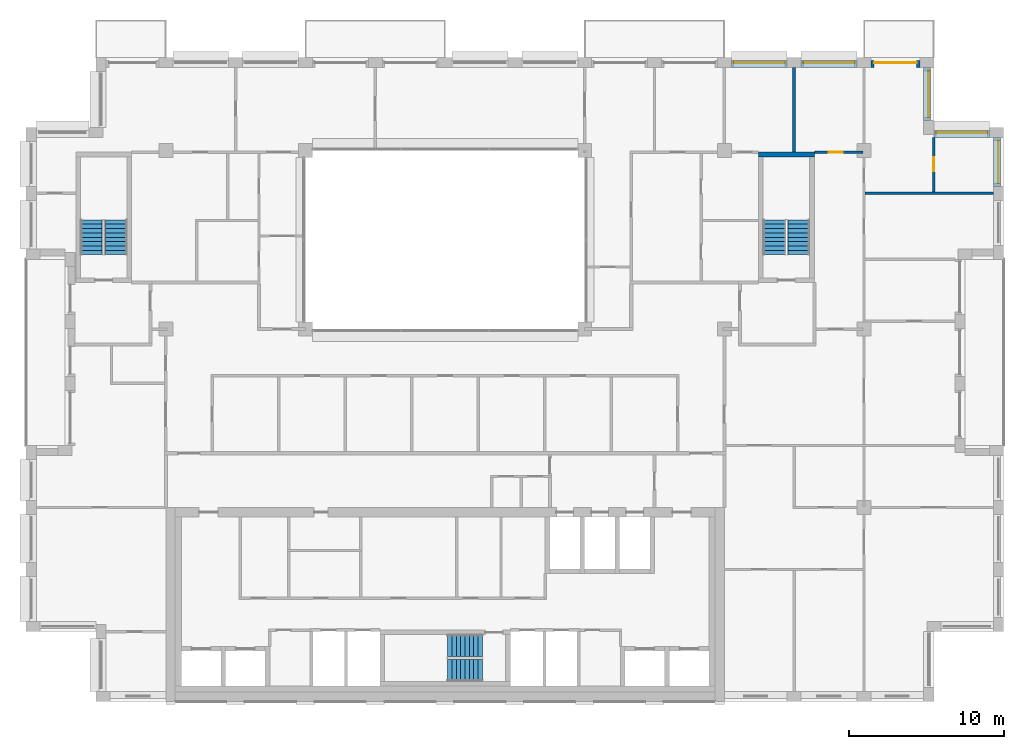
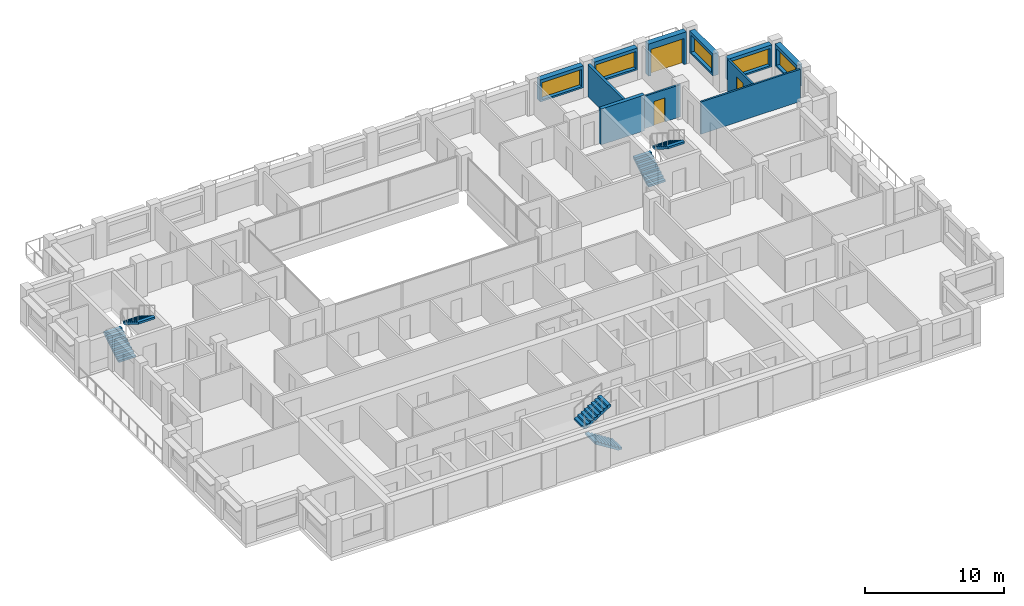
# One storey, part 14 of 15: 11 walls, 6 stair flights, 5 windows, 3 doors, 8 openings, 3 elements without a shape of their own.
"""IFC4 building model written with IfcOpenShell, lengths in metres."""

from ifc_helpers import new_model, si_unit, direction, frame, frame_2d, origin, place, context, subcontext, project, spatial, polyline, rectangle, outline, extrude, material, layer, layer_set, type_object, element, fill, aggregate, save


model = new_model("IFC4")

# Units and contexts
model_context = context("Model", 3, precision=1e-05, world=origin(), true_north=direction((0.0, 1.0)))
body_context = subcontext(model_context, "Body", "Model", "MODEL_VIEW")
ifc_project = project(units=[si_unit("LENGTHUNIT", "METRE"), si_unit("AREAUNIT", "SQUARE_METRE"), si_unit("VOLUMEUNIT", "CUBIC_METRE"), si_unit("PLANEANGLEUNIT", "RADIAN"), si_unit("MASSUNIT", "GRAM", prefix="KILO")], contexts=[model_context])

# Site, building, storey
site_placement = place(None, origin())
site = spatial("IfcSite", under=ifc_project, at=site_placement, CompositionType="ELEMENT")
building_placement = place(site_placement, origin())
building = spatial("IfcBuilding", under=site, at=building_placement, Name="Brigalow Station Residences", CompositionType="ELEMENT")
storey_placement = place(building_placement, frame((0.0, 0.0, 220.050048828125)))
storey = spatial("IfcBuildingStorey", under=building, at=storey_placement, Name="L63", CompositionType="ELEMENT", Elevation=220.050048828125)

# Wall, opening, window
ifc_material_1 = material(Name="Clay brick masonry", Category="masonry")
ifc_layer_1 = layer(ifc_material_1, 0.449951171875)
ifc_layer_set_1 = layer_set([ifc_layer_1], Name="BRICK INFILL WALL 450")
wall_type_1 = type_object("IfcWallType", Name="BRICK INFILL WALL 450", PredefinedType="SOLIDWALL", material=ifc_layer_set_1)
wall_1_placement = place(storey_placement, frame((71.574951171875, 33.199951171875, 0.89990234375), z_axis=(0.0, 0.0, 1.0), x_axis=(0.0, 1.0, 0.0)))
wall_1 = element("IfcWall", 1, at=wall_1_placement, inside=storey, type_object=wall_type_1, Name="L63/ewall/W-L63-17", PredefinedType="SOLIDWALL", context=body_context, shape_type="SweptSolid", body=[
    extrude(rectangle(XDim=3.150146484375, YDim=0.449951171875, at=frame_2d((1.5751953125, 0.0))), origin(), (0.0, 0.0, 1.0), 1.929931640625),
])
opening_1_placement = place(wall_1_placement, frame((0.199951171875, 0.0, 0.14990234375)))
opening_1 = element("IfcOpeningElement", 2, at=opening_1_placement, cuts=wall_1, Name="Opening WT-3", PredefinedType="OPENING", context=body_context, shape_type="SweptSolid", body=[
    extrude(rectangle(XDim=2.75, YDim=1.5, at=frame_2d((1.375, 0.75))), frame((0.0, 0.23486328125, 0.0), z_axis=(0.0, -1.0, 0.0), x_axis=(1.0, 0.0, 0.0)), (0.0, 0.0, 1.0), 0.469970703125),
])
ifc_material_2 = material(Name="Anodised aluminium frame with double glazing", Category="aluminium")
window_type_1 = type_object("IfcWindowType", Name="WINDOW 2750x1500", PartitioningType="SINGLE_PANEL", PredefinedType="WINDOW", material=ifc_material_2)
window_1_placement = place(opening_1_placement, origin())
window_1 = element("IfcWindow", 3, at=window_1_placement, inside=storey, type_object=window_type_1, Name="L63/window/W-L63-17", OverallHeight=1.5, OverallWidth=2.75, PartitioningType="SINGLE_PANEL", PredefinedType="WINDOW", context=body_context, shape_type="SweptSolid", body=[
    extrude(rectangle(XDim=2.75, YDim=1.5, at=frame_2d((1.375, 0.75))), frame((0.0, -0.06494140625, 0.0), z_axis=(0.0, -1.0, 0.0), x_axis=(1.0, 0.0, 0.0)), (0.0, 0.0, 1.0), 0.06005859375),
])
fill(opening_1, window_1)

wall_2_placement = place(storey_placement, frame((71.10009765625, 36.574951171875, 0.89990234375), z_axis=(0.0, 0.0, 1.0), x_axis=(-1.0, 0.0, 0.0)))
wall_2 = element("IfcWall", 4, at=wall_2_placement, inside=storey, type_object=wall_type_1, Name="L63/ewall/W-L63-18", PredefinedType="SOLIDWALL", context=body_context, shape_type="SweptSolid", body=[
    extrude(rectangle(XDim=3.60009765625, YDim=0.449951171875, at=frame_2d((1.800048828125, 0.0))), origin(), (0.0, 0.0, 1.0), 1.929931640625),
])
opening_2_placement = place(wall_2_placement, frame((0.14990234375, 0.0, 0.14990234375)))
opening_2 = element("IfcOpeningElement", 5, at=opening_2_placement, cuts=wall_2, Name="Opening WT-10", PredefinedType="OPENING", context=body_context, shape_type="SweptSolid", body=[
    extrude(rectangle(XDim=3.300048828125, YDim=1.5, at=frame_2d((1.64990234375, 0.75))), frame((0.0, 0.23486328125, 0.0), z_axis=(0.0, -1.0, 0.0), x_axis=(1.0, 0.0, 0.0)), (0.0, 0.0, 1.0), 0.469970703125),
])
ifc_material_3 = material(Name="Anodised aluminium frame with double glazing", Category="aluminium")
window_type_2 = type_object("IfcWindowType", Name="WINDOW 3300x1500", PartitioningType="SINGLE_PANEL", PredefinedType="WINDOW", material=ifc_material_3)
window_2_placement = place(opening_2_placement, origin())
window_2 = element("IfcWindow", 6, at=window_2_placement, inside=storey, type_object=window_type_2, Name="L63/window/W-L63-18", OverallHeight=1.5, OverallWidth=3.300048828125, PartitioningType="SINGLE_PANEL", PredefinedType="WINDOW", context=body_context, shape_type="SweptSolid", body=[
    extrude(rectangle(XDim=3.300048828125, YDim=1.5, at=frame_2d((1.64990234375, 0.75))), frame((0.0, -0.06494140625, 0.0), z_axis=(0.0, -1.0, 0.0), x_axis=(1.0, 0.0, 0.0)), (0.0, 0.0, 1.0), 0.06005859375),
])
fill(opening_2, window_2)

wall_3_placement = place(storey_placement, frame((67.074951171875, 37.449951171875, 0.89990234375), z_axis=(0.0, 0.0, 1.0), x_axis=(0.0, 1.0, 0.0)))
wall_3 = element("IfcWall", 7, at=wall_3_placement, inside=storey, type_object=wall_type_1, Name="L63/ewall/W-L63-19", PredefinedType="SOLIDWALL", context=body_context, shape_type="SweptSolid", body=[
    extrude(rectangle(XDim=3.400146484375, YDim=0.449951171875, at=frame_2d((1.7001953125, 0.0))), origin(), (0.0, 0.0, 1.0), 1.929931640625),
])
opening_3_placement = place(wall_3_placement, frame((0.199951171875, 0.0, 0.14990234375)))
opening_3 = element("IfcOpeningElement", 8, at=opening_3_placement, cuts=wall_3, Name="Opening WT-2", PredefinedType="OPENING", context=body_context, shape_type="SweptSolid", body=[
    extrude(rectangle(XDim=3.0, YDim=1.5, at=frame_2d((1.5, 0.75))), frame((0.0, 0.23486328125, 0.0), z_axis=(0.0, -1.0, 0.0), x_axis=(1.0, 0.0, 0.0)), (0.0, 0.0, 1.0), 0.469970703125),
])
ifc_material_4 = material(Name="Anodised aluminium frame with double glazing", Category="aluminium")
window_type_3 = type_object("IfcWindowType", Name="WINDOW 3000x1500", PartitioningType="SINGLE_PANEL", PredefinedType="WINDOW", material=ifc_material_4)
window_3_placement = place(opening_3_placement, origin())
window_3 = element("IfcWindow", 9, at=window_3_placement, inside=storey, type_object=window_type_3, Name="L63/window/W-L63-19", OverallHeight=1.5, OverallWidth=3.0, PartitioningType="SINGLE_PANEL", PredefinedType="WINDOW", context=body_context, shape_type="SweptSolid", body=[
    extrude(rectangle(XDim=3.0, YDim=1.5, at=frame_2d((1.5, 0.75))), frame((0.0, -0.06494140625, 0.0), z_axis=(0.0, -1.0, 0.0), x_axis=(1.0, 0.0, 0.0)), (0.0, 0.0, 1.0), 0.06005859375),
])
fill(opening_3, window_3)

# Wall, opening, door
wall_4_placement = place(storey_placement, frame((66.60009765625, 41.074951171875, 0.0), z_axis=(0.0, 0.0, 1.0), x_axis=(-1.0, 0.0, 0.0)))
wall_4 = element("IfcWall", 10, at=wall_4_placement, inside=storey, type_object=wall_type_1, Name="L63/ewall/W-L63-20", PredefinedType="SOLIDWALL", context=body_context, shape_type="SweptSolid", body=[
    extrude(rectangle(XDim=3.150146484375, YDim=0.449951171875, at=frame_2d((1.5751953125, 0.0))), origin(), (0.0, 0.0, 1.0), 2.829833984375),
])
opening_4_placement = place(wall_4_placement, frame((0.199951171875, 0.0, 0.0)))
opening_4 = element("IfcOpeningElement", 11, at=opening_4_placement, cuts=wall_4, Name="Opening D-B2750", PredefinedType="OPENING", context=body_context, shape_type="SweptSolid", body=[
    extrude(rectangle(XDim=2.75, YDim=2.300048828125, at=frame_2d((1.375, 1.14990234375))), frame((0.0, 0.23486328125, 0.0), z_axis=(0.0, -1.0, 0.0), x_axis=(1.0, 0.0, 0.0)), (0.0, 0.0, 1.0), 0.469970703125),
])
ifc_material_5 = material(Name="Anodised aluminium frame with double glazing", Category="aluminium")
door_type_1 = type_object("IfcDoorType", Name="BALCONY SLIDING DOOR 2750x2300", OperationType="SLIDING_TO_LEFT", PredefinedType="DOOR", material=ifc_material_5)
door_1_placement = place(opening_4_placement, origin())
door_1 = element("IfcDoor", 12, at=door_1_placement, inside=storey, type_object=door_type_1, Name="L63/balcony-door/W-L63-20", OperationType="SLIDING_TO_LEFT", OverallHeight=2.300048828125, OverallWidth=2.75, PredefinedType="DOOR", context=body_context, shape_type="SweptSolid", body=[
    extrude(rectangle(XDim=2.75, YDim=2.300048828125, at=frame_2d((1.375, 1.14990234375))), frame((0.0, -0.06982421875, 0.0), z_axis=(0.0, -1.0, 0.0), x_axis=(1.0, 0.0, 0.0)), (0.0, 0.0, 1.0), 0.050048828125),
])
fill(opening_4, door_1)

# Wall, opening, window
wall_5_placement = place(storey_placement, frame((62.550048828125, 41.074951171875, 0.89990234375), z_axis=(0.0, 0.0, 1.0), x_axis=(-1.0, 0.0, 0.0)))
wall_5 = element("IfcWall", 13, at=wall_5_placement, inside=storey, type_object=wall_type_1, Name="L63/ewall/W-L63-21", PredefinedType="SOLIDWALL", context=body_context, shape_type="SweptSolid", body=[
    extrude(rectangle(XDim=3.60009765625, YDim=0.449951171875, at=frame_2d((1.800048828125, 0.0))), origin(), (0.0, 0.0, 1.0), 1.929931640625),
])
opening_5_placement = place(wall_5_placement, frame((0.14990234375, 0.0, 0.14990234375)))
opening_5 = element("IfcOpeningElement", 14, at=opening_5_placement, cuts=wall_5, Name="Opening WT-10", PredefinedType="OPENING", context=body_context, shape_type="SweptSolid", body=[
    extrude(rectangle(XDim=3.300048828125, YDim=1.5, at=frame_2d((1.64990234375, 0.75))), frame((0.0, 0.23486328125, 0.0), z_axis=(0.0, -1.0, 0.0), x_axis=(1.0, 0.0, 0.0)), (0.0, 0.0, 1.0), 0.469970703125),
])
window_4_placement = place(opening_5_placement, origin())
window_4 = element("IfcWindow", 15, at=window_4_placement, inside=storey, type_object=window_type_2, Name="L63/window/W-L63-21", OverallHeight=1.5, OverallWidth=3.300048828125, PartitioningType="SINGLE_PANEL", PredefinedType="WINDOW", context=body_context, shape_type="SweptSolid", body=[
    extrude(rectangle(XDim=3.300048828125, YDim=1.5, at=frame_2d((1.64990234375, 0.75))), frame((0.0, -0.06494140625, 0.0), z_axis=(0.0, -1.0, 0.0), x_axis=(1.0, 0.0, 0.0)), (0.0, 0.0, 1.0), 0.06005859375),
])
fill(opening_5, window_4)

wall_6_placement = place(storey_placement, frame((58.050048828125, 41.074951171875, 0.89990234375), z_axis=(0.0, 0.0, 1.0), x_axis=(-1.0, 0.0, 0.0)))
wall_6 = element("IfcWall", 16, at=wall_6_placement, inside=storey, type_object=wall_type_1, Name="L63/ewall/W-L63-22", PredefinedType="SOLIDWALL", context=body_context, shape_type="SweptSolid", body=[
    extrude(rectangle(XDim=3.60009765625, YDim=0.449951171875, at=frame_2d((1.800048828125, 0.0))), origin(), (0.0, 0.0, 1.0), 1.929931640625),
])
opening_6_placement = place(wall_6_placement, frame((0.14990234375, 0.0, 0.14990234375)))
opening_6 = element("IfcOpeningElement", 17, at=opening_6_placement, cuts=wall_6, Name="Opening WT-10", PredefinedType="OPENING", context=body_context, shape_type="SweptSolid", body=[
    extrude(rectangle(XDim=3.300048828125, YDim=1.5, at=frame_2d((1.64990234375, 0.75))), frame((0.0, 0.23486328125, 0.0), z_axis=(0.0, -1.0, 0.0), x_axis=(1.0, 0.0, 0.0)), (0.0, 0.0, 1.0), 0.469970703125),
])
window_5_placement = place(opening_6_placement, origin())
window_5 = element("IfcWindow", 18, at=window_5_placement, inside=storey, type_object=window_type_2, Name="L63/window/W-L63-22", OverallHeight=1.5, OverallWidth=3.300048828125, PartitioningType="SINGLE_PANEL", PredefinedType="WINDOW", context=body_context, shape_type="SweptSolid", body=[
    extrude(rectangle(XDim=3.300048828125, YDim=1.5, at=frame_2d((1.64990234375, 0.75))), frame((0.0, -0.06494140625, 0.0), z_axis=(0.0, -1.0, 0.0), x_axis=(1.0, 0.0, 0.0)), (0.0, 0.0, 1.0), 0.06005859375),
])
fill(opening_6, window_5)

# Wall
ifc_material_6 = material(Name="Concrete C50", Category="concrete")
ifc_layer_2 = layer(ifc_material_6, 0.300048828125)
ifc_layer_set_2 = layer_set([ifc_layer_2], Name="CORE SHEAR WALL 300 C50")
wall_type_2 = type_object("IfcWallType", Name="CORE SHEAR WALL 300 C50", PredefinedType="SHEAR", material=ifc_layer_set_2)
wall_7_placement = place(storey_placement, frame((56.199951171875, 35.25, 0.0), z_axis=(0.0, 0.0, 1.0), x_axis=(1.0, 0.0, 0.0)))
element("IfcWall", 19, at=wall_7_placement, inside=storey, type_object=wall_type_2, Name="CORE WALL ST-S3-N L63", PredefinedType="SHEAR", context=body_context, shape_type="SweptSolid", body=[
    extrude(rectangle(XDim=3.60009765625, YDim=0.300048828125, at=frame_2d((1.800048828125, 0.0))), origin(), (0.0, 0.0, 1.0), 3.14990234375),
])

# Wall, opening, door
ifc_material_7 = material(Name="Plasterboard on steel stud partition", Category="steel")
ifc_layer_3 = layer(ifc_material_7, 0.14990234375)
ifc_layer_set_3 = layer_set([ifc_layer_3], Name="FLAT PARTITION 150")
wall_type_3 = type_object("IfcWallType", Name="FLAT PARTITION 150", PredefinedType="PARTITIONING", material=ifc_layer_set_3)
wall_8_placement = place(storey_placement, frame((59.800048828125, 35.39990234375, 0.0), z_axis=(0.0, 0.0, 1.0), x_axis=(1.0, 0.0, 0.0)))
wall_8 = element("IfcWall", 20, at=wall_8_placement, inside=storey, type_object=wall_type_3, Name="PW-4C16", PredefinedType="PARTITIONING", context=body_context, shape_type="SweptSolid", body=[
    extrude(rectangle(XDim=3.125, YDim=0.14990234375, at=frame_2d((1.5625, 0.0))), origin(), (0.0, 0.0, 1.0), 2.829833984375),
])
opening_7_placement = place(wall_8_placement, frame((0.925048828125, 0.0, 0.0)))
opening_7 = element("IfcOpeningElement", 21, at=opening_7_placement, cuts=wall_8, Name="Opening D-4C36", PredefinedType="OPENING", context=body_context, shape_type="SweptSolid", body=[
    extrude(rectangle(XDim=0.89990234375, YDim=2.10009765625, at=frame_2d((0.449951171875, 1.050048828125))), frame((0.0, 0.0849609375, 0.0), z_axis=(0.0, -1.0, 0.0), x_axis=(1.0, 0.0, 0.0)), (0.0, 0.0, 1.0), 0.169921875),
])
ifc_material_8 = material(Name="Solid-core timber door leaf", Category="wood")
door_type_2 = type_object("IfcDoorType", Name="INTERNAL DOOR 900 x 2100", OperationType="SINGLE_SWING_LEFT", PredefinedType="DOOR", material=ifc_material_8)
door_2_placement = place(opening_7_placement, origin())
door_2 = element("IfcDoor", 22, at=door_2_placement, inside=storey, type_object=door_type_2, Name="D-4C36", OperationType="SINGLE_SWING_RIGHT", OverallHeight=2.10009765625, OverallWidth=0.89990234375, PredefinedType="DOOR", context=body_context, shape_type="SweptSolid", body=[
    extrude(rectangle(XDim=0.89990234375, YDim=2.10009765625, at=frame_2d((0.449951171875, 1.050048828125))), frame((0.0, 0.02490234375, 0.0), z_axis=(0.0, -1.0, 0.0), x_axis=(1.0, 0.0, 0.0)), (0.0, 0.0, 1.0), 0.050048828125),
])
fill(opening_7, door_2)

# Wall
wall_9_placement = place(storey_placement, frame((63.074951171875, 32.75, 0.0), z_axis=(0.0, 0.0, 1.0), x_axis=(1.0, 0.0, 0.0)))
element("IfcWall", 23, at=wall_9_placement, inside=storey, type_object=wall_type_3, Name="PW-4C20", PredefinedType="PARTITIONING", context=body_context, shape_type="SweptSolid", body=[
    extrude(rectangle(XDim=8.275146484375, YDim=0.14990234375, at=frame_2d((4.1376953125, 0.0))), origin(), (0.0, 0.0, 1.0), 2.829833984375),
])

# Wall, opening, door
wall_10_placement = place(storey_placement, frame((67.5, 32.824951171875, 0.0), z_axis=(0.0, 0.0, 1.0), x_axis=(0.0, 1.0, 0.0)))
wall_10 = element("IfcWall", 24, at=wall_10_placement, inside=storey, type_object=wall_type_3, Name="PW-4C51", PredefinedType="PARTITIONING", context=body_context, shape_type="SweptSolid", body=[
    extrude(rectangle(XDim=3.525146484375, YDim=0.14990234375, at=frame_2d((1.7626953125, 0.0))), origin(), (0.0, 0.0, 1.0), 2.829833984375),
])
opening_8_placement = place(wall_10_placement, frame((1.35009765625, 0.0, 0.0)))
opening_8 = element("IfcOpeningElement", 25, at=opening_8_placement, cuts=wall_10, Name="Opening D-4C35", PredefinedType="OPENING", context=body_context, shape_type="SweptSolid", body=[
    extrude(rectangle(XDim=0.89990234375, YDim=2.10009765625, at=frame_2d((0.449951171875, 1.050048828125))), frame((0.0, 0.0849609375, 0.0), z_axis=(0.0, -1.0, 0.0), x_axis=(1.0, 0.0, 0.0)), (0.0, 0.0, 1.0), 0.169921875),
])
door_3_placement = place(opening_8_placement, frame((0.89990234375, 0.0, 0.0), z_axis=(0.0, 0.0, 1.0), x_axis=(-1.0, 0.0, 0.0)))
door_3 = element("IfcDoor", 26, at=door_3_placement, inside=storey, type_object=door_type_2, Name="D-4C35", OperationType="SINGLE_SWING_LEFT", OverallHeight=2.10009765625, OverallWidth=0.89990234375, PredefinedType="DOOR", context=body_context, shape_type="SweptSolid", body=[
    extrude(rectangle(XDim=0.89990234375, YDim=2.10009765625, at=frame_2d((0.449951171875, 1.050048828125))), frame((0.0, 0.02490234375, 0.0), z_axis=(0.0, -1.0, 0.0), x_axis=(1.0, 0.0, 0.0)), (0.0, 0.0, 1.0), 0.050048828125),
])
fill(opening_8, door_3)

# Wall
ifc_material_9 = material(Name="Plasterboard on steel stud partition", Category="steel")
ifc_layer_4 = layer(ifc_material_9, 0.199951171875)
ifc_layer_set_4 = layer_set([ifc_layer_4], Name="PARTY AND CORRIDOR WALL 200")
wall_type_4 = type_object("IfcWallType", Name="PARTY AND CORRIDOR WALL 200", PredefinedType="PARTITIONING", material=ifc_layer_set_4)
wall_11_placement = place(storey_placement, frame((58.5, 35.39990234375, 0.0), z_axis=(0.0, 0.0, 1.0), x_axis=(0.0, 1.0, 0.0)))
element("IfcWall", 27, at=wall_11_placement, inside=storey, type_object=wall_type_4, Name="PW-4C47", PredefinedType="PARTITIONING", context=body_context, shape_type="SweptSolid", body=[
    extrude(rectangle(XDim=5.4501953125, YDim=0.199951171875, at=frame_2d((2.72509765625, 0.0))), origin(), (0.0, 0.0, 1.0), 2.829833984375),
])

# Stair, stair flights
ifc_material_10 = material(Name="Concrete C50", Category="concrete")
stair_type = type_object("IfcStairType", Name="EXIT STAIR 1400 2 FLIGHT", PredefinedType="HALF_TURN_STAIR", material=ifc_material_10)
stair_1_placement = place(storey_placement, origin())
stair_1 = element("IfcStair", 28, at=stair_1_placement, inside=storey, type_object=stair_type, Name="EXIT STAIR S2 L63", PredefinedType="HALF_TURN_STAIR")
ifc_material_11 = material(Name="Concrete C50", Category="concrete")
stair_flight_type = type_object("IfcStairFlightType", Name="STAIR FLIGHT 1400", PredefinedType="STRAIGHT", material=ifc_material_11)
stair_flight_1_placement = place(storey_placement, frame((38.39990234375, 2.0, 0.0), z_axis=(0.0, 0.0, 1.0), x_axis=(-1.0, 0.0, 0.0)))
stair_flight_1 = element("IfcStairFlight", 29, at=stair_flight_1_placement, type_object=stair_flight_type, Name="ST-2 flight 1", NumberOfRisers=9, NumberOfTreads=8, PredefinedType="STRAIGHT", RiserHeight=0.175, TreadLength=0.28, context=body_context, shape_type="SweptSolid", body=[
    extrude(outline(polyline([(0.0, 0.0), (0.0, 0.175048828125), (0.280029296875, 0.175048828125), (0.280029296875, 0.35009765625), (0.56005859375, 0.35009765625), (0.56005859375, 0.52490234375), (0.840087890625, 0.52490234375), (0.840087890625, 0.699951171875), (1.1201171875, 0.699951171875), (1.1201171875, 0.875), (1.39990234375, 0.875), (1.39990234375, 1.050048828125), (1.679931640625, 1.050048828125), (1.679931640625, 1.22509765625), (1.9599609375, 1.22509765625), (1.9599609375, 1.39990234375), (2.239990234375, 1.39990234375), (2.239990234375, 1.574951171875), (2.239990234375, 1.22314453125), (0.28271484375, 0.0), (0.0, 0.0)])), frame((0.0, 0.699951171875, 0.0), z_axis=(0.0, -1.0, 0.0), x_axis=(1.0, 0.0, 0.0)), (0.0, 0.0, 1.0), 1.39990234375),
])
stair_flight_2_placement = place(storey_placement, frame((36.159912109375, 3.60009765625, 1.574951171875), z_axis=(0.0, 0.0, 1.0), x_axis=(1.0, 0.0, 0.0)))
stair_flight_2 = element("IfcStairFlight", 30, at=stair_flight_2_placement, type_object=stair_flight_type, Name="ST-2 flight 2", NumberOfRisers=9, NumberOfTreads=8, PredefinedType="STRAIGHT", RiserHeight=0.175, TreadLength=0.28, context=body_context, shape_type="SweptSolid", body=[
    extrude(outline(polyline([(0.0, 0.0), (0.0, 0.175048828125), (0.280029296875, 0.175048828125), (0.280029296875, 0.35009765625), (0.56005859375, 0.35009765625), (0.56005859375, 0.52490234375), (0.840087890625, 0.52490234375), (0.840087890625, 0.699951171875), (1.1201171875, 0.699951171875), (1.1201171875, 0.875), (1.39990234375, 0.875), (1.39990234375, 1.050048828125), (1.679931640625, 1.050048828125), (1.679931640625, 1.22509765625), (1.9599609375, 1.22509765625), (1.9599609375, 1.39990234375), (2.239990234375, 1.39990234375), (2.239990234375, 1.574951171875), (2.239990234375, 1.22314453125), (0.28271484375, 0.0), (0.0, 0.0)])), frame((0.0, 0.699951171875, 0.0), z_axis=(0.0, -1.0, 0.0), x_axis=(1.0, 0.0, 0.0)), (0.0, 0.0, 1.0), 1.39990234375),
])
aggregate(stair_1, [stair_flight_1, stair_flight_2])

stair_2_placement = place(storey_placement, origin())
stair_2 = element("IfcStair", 31, at=stair_2_placement, inside=storey, type_object=stair_type, Name="EXIT STAIR S1 L63", PredefinedType="HALF_TURN_STAIR")
stair_flight_3_placement = place(storey_placement, frame((13.199951171875, 28.800048828125, 0.0), z_axis=(0.0, 0.0, 1.0), x_axis=(0.0, 1.0, 0.0)))
stair_flight_3 = element("IfcStairFlight", 32, at=stair_flight_3_placement, type_object=stair_flight_type, Name="ST-1 flight 1", NumberOfRisers=9, NumberOfTreads=8, PredefinedType="STRAIGHT", RiserHeight=0.175, TreadLength=0.28, context=body_context, shape_type="SweptSolid", body=[
    extrude(outline(polyline([(0.0, 0.0), (0.0, 0.175048828125), (0.280029296875, 0.175048828125), (0.280029296875, 0.35009765625), (0.56005859375, 0.35009765625), (0.56005859375, 0.52490234375), (0.840087890625, 0.52490234375), (0.840087890625, 0.699951171875), (1.1201171875, 0.699951171875), (1.1201171875, 0.875), (1.39990234375, 0.875), (1.39990234375, 1.050048828125), (1.679931640625, 1.050048828125), (1.679931640625, 1.22509765625), (1.9599609375, 1.22509765625), (1.9599609375, 1.39990234375), (2.239990234375, 1.39990234375), (2.239990234375, 1.574951171875), (2.239990234375, 1.22314453125), (0.28271484375, 0.0), (0.0, 0.0)])), frame((0.0, 0.699951171875, 0.0), z_axis=(0.0, -1.0, 0.0), x_axis=(1.0, 0.0, 0.0)), (0.0, 0.0, 1.0), 1.39990234375),
])
stair_flight_4_placement = place(storey_placement, frame((14.800048828125, 31.0400390625, 1.574951171875), z_axis=(0.0, 0.0, 1.0), x_axis=(0.0, -1.0, 0.0)))
stair_flight_4 = element("IfcStairFlight", 33, at=stair_flight_4_placement, type_object=stair_flight_type, Name="ST-1 flight 2", NumberOfRisers=9, NumberOfTreads=8, PredefinedType="STRAIGHT", RiserHeight=0.175, TreadLength=0.28, context=body_context, shape_type="SweptSolid", body=[
    extrude(outline(polyline([(0.0, 0.0), (0.0, 0.175048828125), (0.280029296875, 0.175048828125), (0.280029296875, 0.35009765625), (0.56005859375, 0.35009765625), (0.56005859375, 0.52490234375), (0.840087890625, 0.52490234375), (0.840087890625, 0.699951171875), (1.1201171875, 0.699951171875), (1.1201171875, 0.875), (1.39990234375, 0.875), (1.39990234375, 1.050048828125), (1.679931640625, 1.050048828125), (1.679931640625, 1.22509765625), (1.9599609375, 1.22509765625), (1.9599609375, 1.39990234375), (2.239990234375, 1.39990234375), (2.239990234375, 1.574951171875), (2.239990234375, 1.22314453125), (0.28271484375, 0.0), (0.0, 0.0)])), frame((0.0, 0.699951171875, 0.0), z_axis=(0.0, -1.0, 0.0), x_axis=(1.0, 0.0, 0.0)), (0.0, 0.0, 1.0), 1.39990234375),
])
aggregate(stair_2, [stair_flight_3, stair_flight_4])

stair_3_placement = place(storey_placement, origin())
stair_3 = element("IfcStair", 34, at=stair_3_placement, inside=storey, type_object=stair_type, Name="EXIT STAIR S3 L63", PredefinedType="HALF_TURN_STAIR")
stair_flight_5_placement = place(storey_placement, frame((57.199951171875, 28.800048828125, 0.0), z_axis=(0.0, 0.0, 1.0), x_axis=(0.0, 1.0, 0.0)))
stair_flight_5 = element("IfcStairFlight", 35, at=stair_flight_5_placement, type_object=stair_flight_type, Name="ST-3 flight 1", NumberOfRisers=9, NumberOfTreads=8, PredefinedType="STRAIGHT", RiserHeight=0.175, TreadLength=0.28, context=body_context, shape_type="SweptSolid", body=[
    extrude(outline(polyline([(0.0, 0.0), (0.0, 0.175048828125), (0.280029296875, 0.175048828125), (0.280029296875, 0.35009765625), (0.56005859375, 0.35009765625), (0.56005859375, 0.52490234375), (0.840087890625, 0.52490234375), (0.840087890625, 0.699951171875), (1.1201171875, 0.699951171875), (1.1201171875, 0.875), (1.39990234375, 0.875), (1.39990234375, 1.050048828125), (1.679931640625, 1.050048828125), (1.679931640625, 1.22509765625), (1.9599609375, 1.22509765625), (1.9599609375, 1.39990234375), (2.239990234375, 1.39990234375), (2.239990234375, 1.574951171875), (2.239990234375, 1.22314453125), (0.28271484375, 0.0), (0.0, 0.0)])), frame((0.0, 0.699951171875, 0.0), z_axis=(0.0, -1.0, 0.0), x_axis=(1.0, 0.0, 0.0)), (0.0, 0.0, 1.0), 1.39990234375),
])
stair_flight_6_placement = place(storey_placement, frame((58.800048828125, 31.0400390625, 1.574951171875), z_axis=(0.0, 0.0, 1.0), x_axis=(0.0, -1.0, 0.0)))
stair_flight_6 = element("IfcStairFlight", 36, at=stair_flight_6_placement, type_object=stair_flight_type, Name="ST-3 flight 2", NumberOfRisers=9, NumberOfTreads=8, PredefinedType="STRAIGHT", RiserHeight=0.175, TreadLength=0.28, context=body_context, shape_type="SweptSolid", body=[
    extrude(outline(polyline([(0.0, 0.0), (0.0, 0.175048828125), (0.280029296875, 0.175048828125), (0.280029296875, 0.35009765625), (0.56005859375, 0.35009765625), (0.56005859375, 0.52490234375), (0.840087890625, 0.52490234375), (0.840087890625, 0.699951171875), (1.1201171875, 0.699951171875), (1.1201171875, 0.875), (1.39990234375, 0.875), (1.39990234375, 1.050048828125), (1.679931640625, 1.050048828125), (1.679931640625, 1.22509765625), (1.9599609375, 1.22509765625), (1.9599609375, 1.39990234375), (2.239990234375, 1.39990234375), (2.239990234375, 1.574951171875), (2.239990234375, 1.22314453125), (0.28271484375, 0.0), (0.0, 0.0)])), frame((0.0, 0.699951171875, 0.0), z_axis=(0.0, -1.0, 0.0), x_axis=(1.0, 0.0, 0.0)), (0.0, 0.0, 1.0), 1.39990234375),
])
aggregate(stair_3, [stair_flight_5, stair_flight_6])

save(model, "model.ifc")
